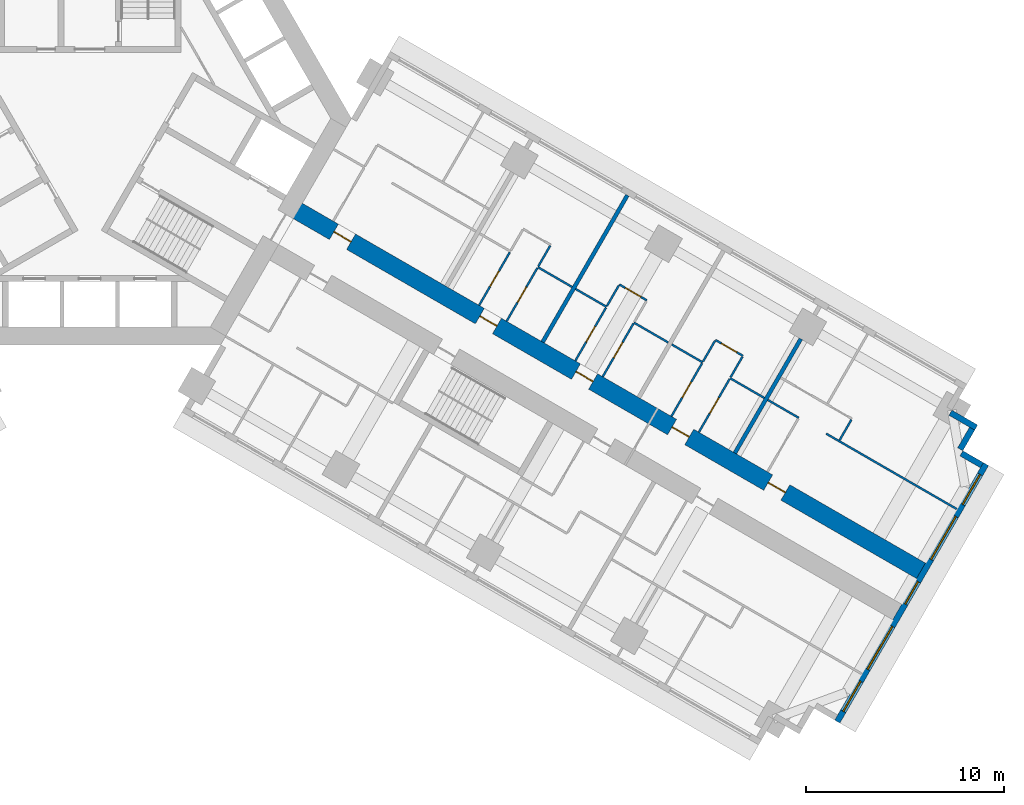
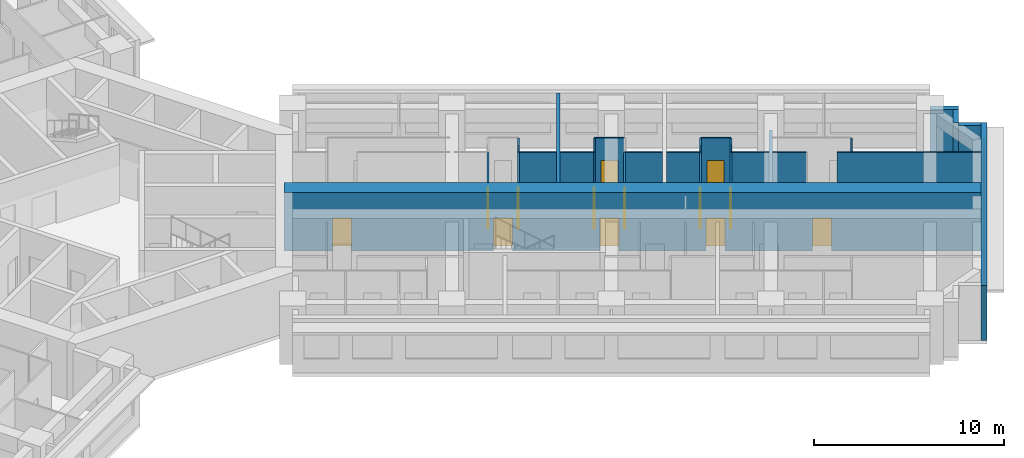
# One storey, part 12 of 16: 27 walls, 13 doors, 5 windows, 18 openings.
"""IFC4 building model written with IfcOpenShell, lengths in metres."""

import ifcopenshell
import ifcopenshell.guid

model = None  # the IFC model being written
_history = None  # IfcOwnerHistory: only IFC2X3 demands one
_inside = {}  # id of a spatial element -> (the spatial element, [elements in it])
_under = {}  # id of a project, library or spatial element -> (it, [spatial elements below it])
_declared = {}  # id of a project -> (the project, [libraries it declares])
_typed = {}  # id of a type object -> (the type object, [elements of that type])
_made_of = {}  # id of a material, layer set ... -> (it, [elements and type objects made of it])


def new_model(schema):
    """Start an empty IFC model of exactly this schema.

    Asked for "IFC4X3", IfcOpenShell would pick the latest addendum, in which some entities
    have other attributes; the version numbers below select the first issue.
    IFC2X3 requires an IfcOwnerHistory on every rooted entity: one is made here for all.
    """
    global model, _history
    if schema == "IFC4X3":
        model = ifcopenshell.file(schema_version=(4, 3, 0, 0))
    else:
        model = ifcopenshell.file(schema=schema)
    _inside.clear()
    _under.clear()
    _declared.clear()
    _typed.clear()
    _made_of.clear()
    _history = None
    if model.schema == "IFC2X3":
        org = make("IfcOrganization", Name="unknown")
        user = make(
            "IfcPersonAndOrganization",
            ThePerson=make("IfcPerson", FamilyName="unknown"),
            TheOrganization=org,
        )
        app = make(
            "IfcApplication",
            ApplicationDeveloper=org,
            Version="unknown",
            ApplicationFullName="unknown",
            ApplicationIdentifier="unknown",
        )
        _history = make(
            "IfcOwnerHistory",
            OwningUser=user,
            OwningApplication=app,
            ChangeAction="ADDED",
            CreationDate=0,
        )
    return model


def make(cls, **values):
    """One entity of the class cls with the attributes given. An attribute that is None is left unset."""
    return model.create_entity(
        cls, **{name: value for name, value in values.items() if value is not None}
    )


def rooted(cls, **values):
    """An entity with a GlobalId (a new one), such as an element, a storey or a relation."""
    return make(cls, GlobalId=ifcopenshell.guid.new(), OwnerHistory=_history, **values)


def si_unit(unit_type, name, prefix=None):
    """IfcSIUnit, for example si_unit("LENGTHUNIT", "METRE", prefix="MILLI")."""
    return make("IfcSIUnit", UnitType=unit_type, Prefix=prefix, Name=name)


def assignment(units):
    """IfcUnitAssignment: the units of a project."""
    return None if units is None else make("IfcUnitAssignment", Units=units)


def point(xyz):
    """IfcCartesianPoint."""
    return None if xyz is None else make("IfcCartesianPoint", Coordinates=xyz)


def direction(xyz):
    """IfcDirection."""
    return None if xyz is None else make("IfcDirection", DirectionRatios=xyz)


def frame(location, z_axis=None, x_axis=None):
    """IfcAxis2Placement3D, a coordinate frame: its origin and axes. An axis left out is left unset."""
    return make(
        "IfcAxis2Placement3D",
        Location=point(location),
        Axis=direction(z_axis),
        RefDirection=direction(x_axis),
    )


def frame_2d(location, x_axis=None):
    """IfcAxis2Placement2D, a coordinate frame in the plane: its origin and x axis."""
    return make(
        "IfcAxis2Placement2D", Location=point(location), RefDirection=direction(x_axis)
    )


def origin():
    """The frame at (0, 0, 0) with its axes left unset."""
    return frame((0.0, 0.0, 0.0))


def place(relative_to, where):
    """IfcLocalPlacement: puts the frame where relative to a parent placement (None: the world)."""
    return make(
        "IfcLocalPlacement", PlacementRelTo=relative_to, RelativePlacement=where
    )


def context(
    kind, dimensions, precision=None, world=None, true_north=None, identifier=None
):
    """IfcGeometricRepresentationContext, for example the 3D "Model" context."""
    return make(
        "IfcGeometricRepresentationContext",
        ContextIdentifier=identifier,
        ContextType=kind,
        CoordinateSpaceDimension=dimensions,
        Precision=precision,
        WorldCoordinateSystem=world,
        TrueNorth=true_north,
    )


def subcontext(parent, identifier, kind, view, scale=None):
    """IfcGeometricRepresentationSubContext, for example "Body" below "Model"."""
    return make(
        "IfcGeometricRepresentationSubContext",
        ContextIdentifier=identifier,
        ContextType=kind,
        ParentContext=parent,
        TargetScale=scale,
        TargetView=view,
    )


def project(units=None, contexts=None):
    """IfcProject with its units and contexts."""
    return rooted(
        "IfcProject",
        Name="project",
        RepresentationContexts=contexts,
        UnitsInContext=assignment(units),
    )


def spatial(cls, under=None, at=None, **own):
    """A site, building, storey or space (cls), placed at a placement, below another one or the project."""
    s = rooted(cls, ObjectPlacement=at, **own)
    if under is not None:
        _under.setdefault(under.id(), (under, []))[1].append(s)
    return s


def profile(cls, at=None, kind="AREA", **sizes):
    """A parametric profile (cls). Its sizes go by their IFC names, for example OverallWidth=200.0."""
    return make(cls, ProfileType=kind, Position=at, **sizes)


def rectangle(**sizes):
    """IfcRectangleProfileDef."""
    return profile("IfcRectangleProfileDef", **sizes)


def extrude(swept, where, along, depth):
    """IfcExtrudedAreaSolid: the profile swept, set in the frame where, extruded along a direction by depth."""
    return make(
        "IfcExtrudedAreaSolid",
        SweptArea=swept,
        Position=where,
        ExtrudedDirection=direction(along),
        Depth=depth,
    )


def shape(context_of_items, identifier, shape_type, items):
    """IfcShapeRepresentation: the items that make up one representation, for example the "Body"."""
    return make(
        "IfcShapeRepresentation",
        ContextOfItems=context_of_items,
        RepresentationIdentifier=identifier,
        RepresentationType=shape_type,
        Items=items,
    )


def material(Name=None, Category=None):
    """IfcMaterial."""
    return make("IfcMaterial", Name=Name, Category=Category)


def layer(
    of_material, thickness, ventilated=None, Name=None, Category=None, Priority=None
):
    """IfcMaterialLayer: one layer of a wall or slab, of a material (None: an air gap)."""
    return make(
        "IfcMaterialLayer",
        Material=of_material,
        LayerThickness=thickness,
        IsVentilated=ventilated,
        Name=Name,
        Category=Category,
        Priority=Priority,
    )


def layer_set(layers, Name=None):
    """IfcMaterialLayerSet."""
    return make("IfcMaterialLayerSet", MaterialLayers=layers, LayerSetName=Name)


def made_of(thing, what):
    """Note that an element or type object is made of a material, layer set ...; save() writes the relation."""
    if what is not None:
        _made_of.setdefault(what.id(), (what, []))[1].append(thing)
    return thing


def type_object(cls, material=None, **own):
    """A type object (cls), such as IfcWallType, which elements share."""
    return made_of(rooted(cls, **own), material)


def element(
    cls,
    number,
    at=None,
    inside=None,
    cuts=None,
    type_object=None,
    material=None,
    context=None,
    identifier="Body",
    shape_type=None,
    held_by="IfcProductDefinitionShape",
    body=None,
    shapes=None,
    **own,
):
    """One element of the class cls, such as IfcWall. Its Tag is "e" and its number.

    at: its placement. inside: the storey or other place that contains it. cuts: it is an
    opening in that element (IfcRelVoidsElement). A single representation is given by context,
    identifier, shape_type and body (its items); several are given by shapes. held_by: the class
    of the entity that holds the representations. save() writes the other relations.
    """
    e = rooted(cls, Tag="e%d" % number, ObjectPlacement=at, **own)
    if body is not None:
        shapes = [shape(context, identifier, shape_type, body)]
    if shapes is not None:
        e.Representation = make(held_by, Representations=shapes)
    if inside is not None:
        _inside.setdefault(inside.id(), (inside, []))[1].append(e)
    if cuts is not None:
        rooted(
            "IfcRelVoidsElement", RelatingBuildingElement=cuts, RelatedOpeningElement=e
        )
    if type_object is not None:
        _typed.setdefault(type_object.id(), (type_object, []))[1].append(e)
    return made_of(e, material)


def fill(opening, filler):
    """IfcRelFillsElement: the door or window that sits in an opening."""
    return rooted(
        "IfcRelFillsElement",
        RelatingOpeningElement=opening,
        RelatedBuildingElement=filler,
    )


def aggregate(whole, parts):
    """IfcRelAggregates: a whole, such as a stair, and the parts it consists of."""
    return rooted("IfcRelAggregates", RelatingObject=whole, RelatedObjects=parts)


def save(model, path):
    """Write the relations noted so far, then the file.

    IfcRelAggregates (storeys below a building ...), IfcRelContainedInSpatialStructure (elements
    in a storey), IfcRelDefinesByType, IfcRelAssociatesMaterial and IfcRelDeclares: one each for
    every whole, place, type object, material and project.
    """
    for whole, parts in _under.values():
        aggregate(whole, parts)
    for where, things in _inside.values():
        rooted(
            "IfcRelContainedInSpatialStructure",
            RelatedElements=things,
            RelatingStructure=where,
        )
    for kind, things in _typed.values():
        rooted("IfcRelDefinesByType", RelatedObjects=things, RelatingType=kind)
    for what, things in _made_of.values():
        rooted("IfcRelAssociatesMaterial", RelatedObjects=things, RelatingMaterial=what)
    for by, libraries in _declared.values():
        rooted("IfcRelDeclares", RelatingContext=by, RelatedDefinitions=libraries)
    model.write(path)


model = new_model("IFC4")

# Units and contexts
model_context = context("Model", 3, precision=1e-05, world=origin(), true_north=direction((0.0, 1.0)))
body_context = subcontext(model_context, "Body", "Model", "MODEL_VIEW")
ifc_project = project(units=[si_unit("LENGTHUNIT", "METRE"), si_unit("AREAUNIT", "SQUARE_METRE"), si_unit("VOLUMEUNIT", "CUBIC_METRE"), si_unit("PLANEANGLEUNIT", "RADIAN"), si_unit("MASSUNIT", "GRAM", prefix="KILO")], contexts=[model_context])

# Site, building, storey
site_placement = place(None, origin())
site = spatial("IfcSite", under=ifc_project, at=site_placement, CompositionType="ELEMENT")
building_placement = place(site_placement, origin())
building = spatial("IfcBuilding", under=site, at=building_placement, Name="Impinga Residences", CompositionType="ELEMENT")
storey_placement = place(building_placement, frame((0.0, 0.0, 63.5)))
storey = spatial("IfcBuildingStorey", under=building, at=storey_placement, Name="L15", CompositionType="ELEMENT", Elevation=63.5)

# Wall, openings, doors
ifc_material_1 = material(Name="Concrete C70/85", Category="concrete")
ifc_layer_1 = layer(ifc_material_1, 0.89990234375)
ifc_layer_set_1 = layer_set([ifc_layer_1], Name="Concrete C70/85")
wall_type_1 = type_object("IfcWallType", Name="BW1 corridor buttress wall, L05 to L22 900", PredefinedType="SHEAR", material=ifc_layer_set_1)
wall_1_placement = place(storey_placement, frame((10.1103515625, -4.451416015625, 0.0), z_axis=(0.0, 0.0, 1.0), x_axis=(0.866025284237, -0.500000207062, 0.0)))
wall_1 = element("IfcWall", 1, at=wall_1_placement, inside=storey, type_object=wall_type_1, Name="Corridor wall BW1 EC L15", PredefinedType="SHEAR", context=body_context, shape_type="SweptSolid", body=[
    extrude(rectangle(XDim=36.75, YDim=0.89990234375, at=frame_2d((18.375, 0.0))), origin(), (0.0, 0.0, 1.0), 3.75),
])
opening_1_placement = place(wall_1_placement, frame((2.550048828125, 0.0, 0.0)))
opening_1 = element("IfcOpeningElement", 2, at=opening_1_placement, cuts=wall_1, Name="Opening D1", PredefinedType="OPENING", context=body_context, shape_type="SweptSolid", body=[
    extrude(rectangle(XDim=1.0, YDim=2.10009765625, at=frame_2d((0.5, 1.050048828125))), frame((0.0, 0.4599609375, 0.0), z_axis=(0.0, -1.0, 0.0), x_axis=(1.0, 0.0, 0.0)), (0.0, 0.0, 1.0), 0.919921875),
])
opening_2_placement = place(wall_1_placement, frame((11.050048828125, 0.0, 0.0)))
opening_2 = element("IfcOpeningElement", 3, at=opening_2_placement, cuts=wall_1, Name="Opening D1", PredefinedType="OPENING", context=body_context, shape_type="SweptSolid", body=[
    extrude(rectangle(XDim=1.0, YDim=2.10009765625, at=frame_2d((0.5, 1.050048828125))), frame((0.0, 0.4599609375, 0.0), z_axis=(0.0, -1.0, 0.0), x_axis=(1.0, 0.0, 0.0)), (0.0, 0.0, 1.0), 0.919921875),
])
opening_3_placement = place(wall_1_placement, frame((16.64990234375, 0.0, 0.0)))
opening_3 = element("IfcOpeningElement", 4, at=opening_3_placement, cuts=wall_1, Name="Opening D1", PredefinedType="OPENING", context=body_context, shape_type="SweptSolid", body=[
    extrude(rectangle(XDim=1.0, YDim=2.10009765625, at=frame_2d((0.5, 1.050048828125))), frame((0.0, 0.4599609375, 0.0), z_axis=(0.0, -1.0, 0.0), x_axis=(1.0, 0.0, 0.0)), (0.0, 0.0, 1.0), 0.919921875),
])
opening_4_placement = place(wall_1_placement, frame((22.25, 0.0, 0.0)))
opening_4 = element("IfcOpeningElement", 5, at=opening_4_placement, cuts=wall_1, Name="Opening D1", PredefinedType="OPENING", context=body_context, shape_type="SweptSolid", body=[
    extrude(rectangle(XDim=1.0, YDim=2.10009765625, at=frame_2d((0.5, 1.050048828125))), frame((0.0, 0.4599609375, 0.0), z_axis=(0.0, -1.0, 0.0), x_axis=(1.0, 0.0, 0.0)), (0.0, 0.0, 1.0), 0.919921875),
])
opening_5_placement = place(wall_1_placement, frame((27.85009765625, 0.0, 0.0)))
opening_5 = element("IfcOpeningElement", 6, at=opening_5_placement, cuts=wall_1, Name="Opening D1", PredefinedType="OPENING", context=body_context, shape_type="SweptSolid", body=[
    extrude(rectangle(XDim=1.0, YDim=2.10009765625, at=frame_2d((0.5, 1.050048828125))), frame((0.0, 0.4599609375, 0.0), z_axis=(0.0, -1.0, 0.0), x_axis=(1.0, 0.0, 0.0)), (0.0, 0.0, 1.0), 0.919921875),
])
ifc_material_2 = material(Name="Timber door set", Category="wood")
door_type_1 = type_object("IfcDoorType", Name="D1 apartment entrance door 1000x2100", OperationType="SINGLE_SWING_LEFT", PredefinedType="DOOR", material=ifc_material_2)
door_1_placement = place(opening_1_placement, origin())
door_1 = element("IfcDoor", 7, at=door_1_placement, inside=storey, type_object=door_type_1, Name="Apartment L15-EA1 entrance", OperationType="SINGLE_SWING_LEFT", OverallHeight=2.10009765625, OverallWidth=1.0, PredefinedType="DOOR", context=body_context, shape_type="SweptSolid", body=[
    extrude(rectangle(XDim=1.0, YDim=2.10009765625, at=frame_2d((0.5, 1.050048828125))), frame((0.0, 0.02490234375, 0.0), z_axis=(0.0, -1.0, 0.0), x_axis=(1.0, 0.0, 0.0)), (0.0, 0.0, 1.0), 0.050048828125),
])
fill(opening_1, door_1)
door_2_placement = place(opening_2_placement, origin())
door_2 = element("IfcDoor", 8, at=door_2_placement, inside=storey, type_object=door_type_1, Name="Apartment L15-EA2 entrance", OperationType="SINGLE_SWING_LEFT", OverallHeight=2.10009765625, OverallWidth=1.0, PredefinedType="DOOR", context=body_context, shape_type="SweptSolid", body=[
    extrude(rectangle(XDim=1.0, YDim=2.10009765625, at=frame_2d((0.5, 1.050048828125))), frame((0.0, 0.02490234375, 0.0), z_axis=(0.0, -1.0, 0.0), x_axis=(1.0, 0.0, 0.0)), (0.0, 0.0, 1.0), 0.050048828125),
])
fill(opening_2, door_2)
door_3_placement = place(opening_3_placement, origin())
door_3 = element("IfcDoor", 9, at=door_3_placement, inside=storey, type_object=door_type_1, Name="Apartment L15-EA3 entrance", OperationType="SINGLE_SWING_LEFT", OverallHeight=2.10009765625, OverallWidth=1.0, PredefinedType="DOOR", context=body_context, shape_type="SweptSolid", body=[
    extrude(rectangle(XDim=1.0, YDim=2.10009765625, at=frame_2d((0.5, 1.050048828125))), frame((0.0, 0.02490234375, 0.0), z_axis=(0.0, -1.0, 0.0), x_axis=(1.0, 0.0, 0.0)), (0.0, 0.0, 1.0), 0.050048828125),
])
fill(opening_3, door_3)
door_4_placement = place(opening_4_placement, origin())
door_4 = element("IfcDoor", 10, at=door_4_placement, inside=storey, type_object=door_type_1, Name="Apartment L15-EA4 entrance", OperationType="SINGLE_SWING_RIGHT", OverallHeight=2.10009765625, OverallWidth=1.0, PredefinedType="DOOR", context=body_context, shape_type="SweptSolid", body=[
    extrude(rectangle(XDim=1.0, YDim=2.10009765625, at=frame_2d((0.5, 1.050048828125))), frame((0.0, 0.02490234375, 0.0), z_axis=(0.0, -1.0, 0.0), x_axis=(1.0, 0.0, 0.0)), (0.0, 0.0, 1.0), 0.050048828125),
])
fill(opening_4, door_4)
door_5_placement = place(opening_5_placement, origin())
door_5 = element("IfcDoor", 11, at=door_5_placement, inside=storey, type_object=door_type_1, Name="Apartment L15-EA5 entrance", OperationType="SINGLE_SWING_RIGHT", OverallHeight=2.10009765625, OverallWidth=1.0, PredefinedType="DOOR", context=body_context, shape_type="SweptSolid", body=[
    extrude(rectangle(XDim=1.0, YDim=2.10009765625, at=frame_2d((0.5, 1.050048828125))), frame((0.0, 0.02490234375, 0.0), z_axis=(0.0, -1.0, 0.0), x_axis=(1.0, 0.0, 0.0)), (0.0, 0.0, 1.0), 0.050048828125),
])
fill(opening_5, door_5)

# Walls
ifc_material_3 = material(Name="Terracotta rainscreen on blockwork", Category="masonry")
ifc_layer_2 = layer(ifc_material_3, 0.300048828125)
ifc_layer_set_2 = layer_set([ifc_layer_2], Name="EW1 external wall, terracotta rainscreen on blockwork 300")
wall_type_2 = type_object("IfcWallType", Name="EW1 external wall, terracotta rainscreen on blockwork 300", PredefinedType="SOLIDWALL", material=ifc_layer_set_2)
wall_2_placement = place(storey_placement, frame((43.42333984375, -14.8515625, 0.0), z_axis=(0.0, 0.0, 1.0), x_axis=(0.866031096941, -0.499990139034, 0.0)))
element("IfcWall", 12, at=wall_2_placement, inside=storey, type_object=wall_type_2, Name="External wall EW1 L15", PredefinedType="SOLIDWALL", context=body_context, shape_type="SweptSolid", body=[
    extrude(rectangle(XDim=1.5, YDim=0.300048828125, at=frame_2d((0.75, 0.0))), origin(), (0.0, 0.0, 1.0), 3.530029296875),
])
wall_3_placement = place(storey_placement, frame((44.517578125, -15.65625, 0.0), z_axis=(0.0, 0.0, 1.0), x_axis=(-0.500033551112, -0.866006032174, 0.0)))
element("IfcWall", 13, at=wall_3_placement, inside=storey, type_object=wall_type_2, Name="External wall EW1 L15", PredefinedType="SOLIDWALL", context=body_context, shape_type="SweptSolid", body=[
    extrude(rectangle(XDim=1.2001953125, YDim=0.300048828125, at=frame_2d((0.60009765625, 0.0))), origin(), (0.0, 0.0, 1.0), 3.530029296875),
])
wall_4_placement = place(storey_placement, frame((43.976806640625, -16.903076171875, 0.0), z_axis=(0.0, 0.0, 1.0), x_axis=(0.866059708757, -0.499940577336, 0.0)))
element("IfcWall", 14, at=wall_4_placement, inside=storey, type_object=wall_type_2, Name="External wall EW1 L15", PredefinedType="SOLIDWALL", context=body_context, shape_type="SweptSolid", body=[
    extrude(rectangle(XDim=1.195068359375, YDim=0.300048828125, at=frame_2d((0.59765625, 0.0))), origin(), (0.0, 0.0, 1.0), 3.530029296875),
])

# Wall, openings, windows
wall_5_placement = place(storey_placement, frame((45.216552734375, -17.445556640625, 0.0), z_axis=(0.0, 0.0, 1.0), x_axis=(-0.499997186618, -0.866027028085, 0.0)))
wall_5 = element("IfcWall", 15, at=wall_5_placement, inside=storey, type_object=wall_type_2, Name="External wall EW1 L15", PredefinedType="SOLIDWALL", context=body_context, shape_type="SweptSolid", body=[
    extrude(rectangle(XDim=15.0, YDim=0.300048828125, at=frame_2d((7.5, 0.0))), origin(), (0.0, 0.0, 1.0), 3.530029296875),
])
opening_6_placement = place(wall_5_placement, frame((0.60009765625, 0.0, 0.89990234375)))
opening_6 = element("IfcOpeningElement", 16, at=opening_6_placement, cuts=wall_5, Name="Opening W1", PredefinedType="OPENING", context=body_context, shape_type="SweptSolid", body=[
    extrude(rectangle(XDim=1.75, YDim=2.050048828125, at=frame_2d((0.875, 1.02490234375))), frame((0.0, 0.159912109375, 0.0), z_axis=(0.0, -1.0, 0.0), x_axis=(1.0, 0.0, 0.0)), (0.0, 0.0, 1.0), 0.320068359375),
])
opening_7_placement = place(wall_5_placement, frame((3.050048828125, 0.0, 0.89990234375)))
opening_7 = element("IfcOpeningElement", 17, at=opening_7_placement, cuts=wall_5, Name="Opening W2", PredefinedType="OPENING", context=body_context, shape_type="SweptSolid", body=[
    extrude(rectangle(XDim=2.5, YDim=2.050048828125, at=frame_2d((1.25, 1.02490234375))), frame((0.0, 0.159912109375, 0.0), z_axis=(0.0, -1.0, 0.0), x_axis=(1.0, 0.0, 0.0)), (0.0, 0.0, 1.0), 0.320068359375),
])
opening_8_placement = place(wall_5_placement, frame((6.85009765625, 0.0, 0.89990234375)))
opening_8 = element("IfcOpeningElement", 18, at=opening_8_placement, cuts=wall_5, Name="Opening WE1", PredefinedType="OPENING", context=body_context, shape_type="SweptSolid", body=[
    extrude(rectangle(XDim=1.300048828125, YDim=2.050048828125, at=frame_2d((0.64990234375, 1.02490234375))), frame((0.0, 0.159912109375, 0.0), z_axis=(0.0, -1.0, 0.0), x_axis=(1.0, 0.0, 0.0)), (0.0, 0.0, 1.0), 0.320068359375),
])
opening_9_placement = place(wall_5_placement, frame((9.449951171875, 0.0, 0.89990234375)))
opening_9 = element("IfcOpeningElement", 19, at=opening_9_placement, cuts=wall_5, Name="Opening W2", PredefinedType="OPENING", context=body_context, shape_type="SweptSolid", body=[
    extrude(rectangle(XDim=2.5, YDim=2.050048828125, at=frame_2d((1.25, 1.02490234375))), frame((0.0, 0.159912109375, 0.0), z_axis=(0.0, -1.0, 0.0), x_axis=(1.0, 0.0, 0.0)), (0.0, 0.0, 1.0), 0.320068359375),
])
opening_10_placement = place(wall_5_placement, frame((12.64990234375, 0.0, 0.89990234375)))
opening_10 = element("IfcOpeningElement", 20, at=opening_10_placement, cuts=wall_5, Name="Opening W1", PredefinedType="OPENING", context=body_context, shape_type="SweptSolid", body=[
    extrude(rectangle(XDim=1.75, YDim=2.050048828125, at=frame_2d((0.875, 1.02490234375))), frame((0.0, 0.159912109375, 0.0), z_axis=(0.0, -1.0, 0.0), x_axis=(1.0, 0.0, 0.0)), (0.0, 0.0, 1.0), 0.320068359375),
])
ifc_material_4 = material(Name="Aluminium window, clear double glazing", Category="aluminium")
window_type_1 = type_object("IfcWindowType", Name="W1 ribbon window 1750x2050", PartitioningType="SINGLE_PANEL", PredefinedType="WINDOW", material=ifc_material_4)
window_1_placement = place(opening_6_placement, origin())
window_1 = element("IfcWindow", 21, at=window_1_placement, inside=storey, type_object=window_type_1, Name="Window L15", OverallHeight=2.050048828125, OverallWidth=1.75, PartitioningType="SINGLE_PANEL", PredefinedType="WINDOW", context=body_context, shape_type="SweptSolid", body=[
    extrude(rectangle(XDim=1.75, YDim=2.050048828125, at=frame_2d((0.875, 1.02490234375))), frame((0.0, 0.030029296875, 0.0), z_axis=(0.0, -1.0, 0.0), x_axis=(1.0, 0.0, 0.0)), (0.0, 0.0, 1.0), 0.06005859375),
])
fill(opening_6, window_1)
window_2_placement = place(opening_10_placement, origin())
window_2 = element("IfcWindow", 22, at=window_2_placement, inside=storey, type_object=window_type_1, Name="Window L15", OverallHeight=2.050048828125, OverallWidth=1.75, PartitioningType="SINGLE_PANEL", PredefinedType="WINDOW", context=body_context, shape_type="SweptSolid", body=[
    extrude(rectangle(XDim=1.75, YDim=2.050048828125, at=frame_2d((0.875, 1.02490234375))), frame((0.0, 0.030029296875, 0.0), z_axis=(0.0, -1.0, 0.0), x_axis=(1.0, 0.0, 0.0)), (0.0, 0.0, 1.0), 0.06005859375),
])
fill(opening_10, window_2)
window_type_2 = type_object("IfcWindowType", Name="W2 ribbon window 2500x2050", PartitioningType="SINGLE_PANEL", PredefinedType="WINDOW", material=ifc_material_4)
window_3_placement = place(opening_7_placement, origin())
window_3 = element("IfcWindow", 23, at=window_3_placement, inside=storey, type_object=window_type_2, Name="Window L15", OverallHeight=2.050048828125, OverallWidth=2.5, PartitioningType="SINGLE_PANEL", PredefinedType="WINDOW", context=body_context, shape_type="SweptSolid", body=[
    extrude(rectangle(XDim=2.5, YDim=2.050048828125, at=frame_2d((1.25, 1.02490234375))), frame((0.0, 0.030029296875, 0.0), z_axis=(0.0, -1.0, 0.0), x_axis=(1.0, 0.0, 0.0)), (0.0, 0.0, 1.0), 0.06005859375),
])
fill(opening_7, window_3)
window_4_placement = place(opening_9_placement, origin())
window_4 = element("IfcWindow", 24, at=window_4_placement, inside=storey, type_object=window_type_2, Name="Window L15", OverallHeight=2.050048828125, OverallWidth=2.5, PartitioningType="SINGLE_PANEL", PredefinedType="WINDOW", context=body_context, shape_type="SweptSolid", body=[
    extrude(rectangle(XDim=2.5, YDim=2.050048828125, at=frame_2d((1.25, 1.02490234375))), frame((0.0, 0.030029296875, 0.0), z_axis=(0.0, -1.0, 0.0), x_axis=(1.0, 0.0, 0.0)), (0.0, 0.0, 1.0), 0.06005859375),
])
fill(opening_9, window_4)
window_type_3 = type_object("IfcWindowType", Name="WE1 corridor window 1300x2050", PartitioningType="SINGLE_PANEL", PredefinedType="WINDOW", material=ifc_material_4)
window_5_placement = place(opening_8_placement, origin())
window_5 = element("IfcWindow", 25, at=window_5_placement, inside=storey, type_object=window_type_3, Name="Window L15", OverallHeight=2.050048828125, OverallWidth=1.300048828125, PartitioningType="SINGLE_PANEL", PredefinedType="WINDOW", context=body_context, shape_type="SweptSolid", body=[
    extrude(rectangle(XDim=1.300048828125, YDim=2.050048828125, at=frame_2d((0.64990234375, 1.02490234375))), frame((0.0, 0.030029296875, 0.0), z_axis=(0.0, -1.0, 0.0), x_axis=(1.0, 0.0, 0.0)), (0.0, 0.0, 1.0), 0.06005859375),
])
fill(opening_8, window_5)

# Walls
ifc_material_5 = material(Name="Gypsum board on steel studs", Category="steel")
ifc_layer_3 = layer(ifc_material_5, 0.10009765625)
ifc_layer_set_3 = layer_set([ifc_layer_3], Name="Gypsum board on steel studs")
wall_type_3 = type_object("IfcWallType", Name="IP1 partition 100", PredefinedType="PARTITIONING", material=ifc_layer_set_3)
wall_6_placement = place(storey_placement, frame((22.605712890625, -7.5087890625, 0.0), z_axis=(0.0, 0.0, 1.0), x_axis=(0.866010750942, -0.50002537861, 0.0)))
element("IfcWall", 26, at=wall_6_placement, inside=storey, type_object=wall_type_3, Name="Partition L15-EA2:DIV1", PredefinedType="PARTITIONING", context=body_context, shape_type="SweptSolid", body=[
    extrude(rectangle(XDim=2.0, YDim=0.10009765625, at=frame_2d((1.0, 0.0))), origin(), (0.0, 0.0, 1.0), 3.530029296875),
])
wall_7_placement = place(storey_placement, frame((22.630615234375, -7.465576171875, 0.0), z_axis=(0.0, 0.0, 1.0), x_axis=(0.500033551112, 0.866006032174, 0.0)))
element("IfcWall", 27, at=wall_7_placement, inside=storey, type_object=wall_type_3, Name="Partition L15-EA2:SE1", PredefinedType="PARTITIONING", context=body_context, shape_type="SweptSolid", body=[
    extrude(rectangle(XDim=1.2001953125, YDim=0.10009765625, at=frame_2d((0.60009765625, 0.0))), origin(), (0.0, 0.0, 1.0), 3.530029296875),
])

# Wall, opening, door
wall_8_placement = place(storey_placement, frame((19.64501953125, -9.436767578125, 0.0), z_axis=(0.0, 0.0, 1.0), x_axis=(0.500026960575, 0.86600983753, 0.0)))
wall_8 = element("IfcWall", 28, at=wall_8_placement, inside=storey, type_object=wall_type_3, Name="Partition L15-EA2:IB1", PredefinedType="PARTITIONING", context=body_context, shape_type="SweptSolid", body=[
    extrude(rectangle(XDim=3.099853515625, YDim=0.10009765625, at=frame_2d((1.5498046875, 0.0))), origin(), (0.0, 0.0, 1.0), 3.530029296875),
])
opening_11_placement = place(wall_8_placement, frame((1.10009765625, 0.0, 0.0)))
opening_11 = element("IfcOpeningElement", 29, at=opening_11_placement, cuts=wall_8, Name="Opening D2", PredefinedType="OPENING", context=body_context, shape_type="SweptSolid", body=[
    extrude(rectangle(XDim=0.89990234375, YDim=2.10009765625, at=frame_2d((0.449951171875, 1.050048828125))), frame((0.0, 0.06005859375, 0.0), z_axis=(0.0, -1.0, 0.0), x_axis=(1.0, 0.0, 0.0)), (0.0, 0.0, 1.0), 0.1201171875),
])
door_type_2 = type_object("IfcDoorType", Name="D2 internal door 900x2100", OperationType="SINGLE_SWING_LEFT", PredefinedType="DOOR", material=ifc_material_2)
door_6_placement = place(opening_11_placement, origin())
door_6 = element("IfcDoor", 30, at=door_6_placement, inside=storey, type_object=door_type_2, Name="Apartment L15-EA2 bathroom door", OperationType="SINGLE_SWING_LEFT", OverallHeight=2.10009765625, OverallWidth=0.89990234375, PredefinedType="DOOR", context=body_context, shape_type="SweptSolid", body=[
    extrude(rectangle(XDim=0.89990234375, YDim=2.10009765625, at=frame_2d((0.449951171875, 1.050048828125))), frame((0.0, 0.02490234375, 0.0), z_axis=(0.0, -1.0, 0.0), x_axis=(1.0, 0.0, 0.0)), (0.0, 0.0, 1.0), 0.050048828125),
])
fill(opening_11, door_6)

wall_9_placement = place(storey_placement, frame((21.03076171875, -10.23681640625, 0.0), z_axis=(0.0, 0.0, 1.0), x_axis=(0.500026960575, 0.86600983753, 0.0)))
wall_9 = element("IfcWall", 31, at=wall_9_placement, inside=storey, type_object=wall_type_3, Name="Partition L15-EA2:IB2", PredefinedType="PARTITIONING", context=body_context, shape_type="SweptSolid", body=[
    extrude(rectangle(XDim=3.099853515625, YDim=0.10009765625, at=frame_2d((1.5498046875, 0.0))), origin(), (0.0, 0.0, 1.0), 3.530029296875),
])
opening_12_placement = place(wall_9_placement, frame((1.10009765625, 0.0, 0.0)))
opening_12 = element("IfcOpeningElement", 32, at=opening_12_placement, cuts=wall_9, Name="Opening D2", PredefinedType="OPENING", context=body_context, shape_type="SweptSolid", body=[
    extrude(rectangle(XDim=0.89990234375, YDim=2.10009765625, at=frame_2d((0.449951171875, 1.050048828125))), frame((0.0, 0.06005859375, 0.0), z_axis=(0.0, -1.0, 0.0), x_axis=(1.0, 0.0, 0.0)), (0.0, 0.0, 1.0), 0.1201171875),
])
door_7_placement = place(opening_12_placement, origin())
door_7 = element("IfcDoor", 33, at=door_7_placement, inside=storey, type_object=door_type_2, Name="Apartment L15-EA2 WC door", OperationType="SINGLE_SWING_LEFT", OverallHeight=2.10009765625, OverallWidth=0.89990234375, PredefinedType="DOOR", context=body_context, shape_type="SweptSolid", body=[
    extrude(rectangle(XDim=0.89990234375, YDim=2.10009765625, at=frame_2d((0.449951171875, 1.050048828125))), frame((0.0, 0.02490234375, 0.0), z_axis=(0.0, -1.0, 0.0), x_axis=(1.0, 0.0, 0.0)), (0.0, 0.0, 1.0), 0.050048828125),
])
fill(opening_12, door_7)

# Walls
wall_10_placement = place(storey_placement, frame((24.510986328125, -8.60888671875, 0.0), z_axis=(0.0, 0.0, 1.0), x_axis=(0.866047807691, -0.499961193289, 0.0)))
element("IfcWall", 34, at=wall_10_placement, inside=storey, type_object=wall_type_3, Name="Partition L15-EA3:DIV0", PredefinedType="PARTITIONING", context=body_context, shape_type="SweptSolid", body=[
    extrude(rectangle(XDim=1.800048828125, YDim=0.10009765625, at=frame_2d((0.89990234375, 0.0))), origin(), (0.0, 0.0, 1.0), 3.530029296875),
])
wall_11_placement = place(storey_placement, frame((27.45556640625, -10.308837890625, 0.0), z_axis=(0.0, 0.0, 1.0), x_axis=(0.866010750942, -0.50002537861, 0.0)))
element("IfcWall", 35, at=wall_11_placement, inside=storey, type_object=wall_type_3, Name="Partition L15-EA3:DIV1", PredefinedType="PARTITIONING", context=body_context, shape_type="SweptSolid", body=[
    extrude(rectangle(XDim=2.0, YDim=0.10009765625, at=frame_2d((1.0, 0.0))), origin(), (0.0, 0.0, 1.0), 3.530029296875),
])

# Wall, opening, door
wall_12_placement = place(storey_placement, frame((26.7197265625, -8.383056640625, 0.0), z_axis=(0.0, 0.0, 1.0), x_axis=(0.866028054938, -0.499995408039, 0.0)))
wall_12 = element("IfcWall", 36, at=wall_12_placement, inside=storey, type_object=wall_type_3, Name="Partition L15-EA3:STRIP", PredefinedType="PARTITIONING", context=body_context, shape_type="SweptSolid", body=[
    extrude(rectangle(XDim=1.60009765625, YDim=0.10009765625, at=frame_2d((0.800048828125, 0.0))), origin(), (0.0, 0.0, 1.0), 3.530029296875),
])
opening_13_placement = place(wall_12_placement, frame((0.35009765625, 0.0, 0.0)))
opening_13 = element("IfcOpeningElement", 37, at=opening_13_placement, cuts=wall_12, Name="Opening D2", PredefinedType="OPENING", context=body_context, shape_type="SweptSolid", body=[
    extrude(rectangle(XDim=0.89990234375, YDim=2.10009765625, at=frame_2d((0.449951171875, 1.050048828125))), frame((0.0, 0.06005859375, 0.0), z_axis=(0.0, -1.0, 0.0), x_axis=(1.0, 0.0, 0.0)), (0.0, 0.0, 1.0), 0.1201171875),
])
door_8_placement = place(opening_13_placement, origin())
door_8 = element("IfcDoor", 38, at=door_8_placement, inside=storey, type_object=door_type_2, Name="Apartment L15-EA3 room door", OperationType="SINGLE_SWING_LEFT", OverallHeight=2.10009765625, OverallWidth=0.89990234375, PredefinedType="DOOR", context=body_context, shape_type="SweptSolid", body=[
    extrude(rectangle(XDim=0.89990234375, YDim=2.10009765625, at=frame_2d((0.449951171875, 1.050048828125))), frame((0.0, 0.02490234375, 0.0), z_axis=(0.0, -1.0, 0.0), x_axis=(1.0, 0.0, 0.0)), (0.0, 0.0, 1.0), 0.050048828125),
])
fill(opening_13, door_8)

# Wall
wall_13_placement = place(storey_placement, frame((26.0947265625, -9.465576171875, 0.0), z_axis=(0.0, 0.0, 1.0), x_axis=(0.500033551112, 0.866006032174, 0.0)))
element("IfcWall", 39, at=wall_13_placement, inside=storey, type_object=wall_type_3, Name="Partition L15-EA3:SE0", PredefinedType="PARTITIONING", context=body_context, shape_type="SweptSolid", body=[
    extrude(rectangle(XDim=1.2001953125, YDim=0.10009765625, at=frame_2d((0.60009765625, 0.0))), origin(), (0.0, 0.0, 1.0), 3.530029296875),
])

# Wall, opening, door
wall_14_placement = place(storey_placement, frame((24.494873046875, -12.23681640625, 0.0), z_axis=(0.0, 0.0, 1.0), x_axis=(0.500026960575, 0.86600983753, 0.0)))
wall_14 = element("IfcWall", 40, at=wall_14_placement, inside=storey, type_object=wall_type_3, Name="Partition L15-EA3:IB1", PredefinedType="PARTITIONING", context=body_context, shape_type="SweptSolid", body=[
    extrude(rectangle(XDim=3.099853515625, YDim=0.10009765625, at=frame_2d((1.5498046875, 0.0))), origin(), (0.0, 0.0, 1.0), 3.530029296875),
])
opening_14_placement = place(wall_14_placement, frame((1.10009765625, 0.0, 0.0)))
opening_14 = element("IfcOpeningElement", 41, at=opening_14_placement, cuts=wall_14, Name="Opening D2", PredefinedType="OPENING", context=body_context, shape_type="SweptSolid", body=[
    extrude(rectangle(XDim=0.89990234375, YDim=2.10009765625, at=frame_2d((0.449951171875, 1.050048828125))), frame((0.0, 0.06005859375, 0.0), z_axis=(0.0, -1.0, 0.0), x_axis=(1.0, 0.0, 0.0)), (0.0, 0.0, 1.0), 0.1201171875),
])
door_9_placement = place(opening_14_placement, origin())
door_9 = element("IfcDoor", 42, at=door_9_placement, inside=storey, type_object=door_type_2, Name="Apartment L15-EA3 bathroom door", OperationType="SINGLE_SWING_LEFT", OverallHeight=2.10009765625, OverallWidth=0.89990234375, PredefinedType="DOOR", context=body_context, shape_type="SweptSolid", body=[
    extrude(rectangle(XDim=0.89990234375, YDim=2.10009765625, at=frame_2d((0.449951171875, 1.050048828125))), frame((0.0, 0.02490234375, 0.0), z_axis=(0.0, -1.0, 0.0), x_axis=(1.0, 0.0, 0.0)), (0.0, 0.0, 1.0), 0.050048828125),
])
fill(opening_14, door_9)

wall_15_placement = place(storey_placement, frame((25.88037109375, -13.036865234375, 0.0), z_axis=(0.0, 0.0, 1.0), x_axis=(0.49999285859, 0.86602952684, 0.0)))
wall_15 = element("IfcWall", 43, at=wall_15_placement, inside=storey, type_object=wall_type_3, Name="Partition L15-EA3:IB2", PredefinedType="PARTITIONING", context=body_context, shape_type="SweptSolid", body=[
    extrude(rectangle(XDim=3.10009765625, YDim=0.10009765625, at=frame_2d((1.550048828125, 0.0))), origin(), (0.0, 0.0, 1.0), 3.530029296875),
])
opening_15_placement = place(wall_15_placement, frame((1.10009765625, 0.0, 0.0)))
opening_15 = element("IfcOpeningElement", 44, at=opening_15_placement, cuts=wall_15, Name="Opening D2", PredefinedType="OPENING", context=body_context, shape_type="SweptSolid", body=[
    extrude(rectangle(XDim=0.89990234375, YDim=2.10009765625, at=frame_2d((0.449951171875, 1.050048828125))), frame((0.0, 0.06005859375, 0.0), z_axis=(0.0, -1.0, 0.0), x_axis=(1.0, 0.0, 0.0)), (0.0, 0.0, 1.0), 0.1201171875),
])
door_10_placement = place(opening_15_placement, origin())
door_10 = element("IfcDoor", 45, at=door_10_placement, inside=storey, type_object=door_type_2, Name="Apartment L15-EA3 WC door", OperationType="SINGLE_SWING_LEFT", OverallHeight=2.10009765625, OverallWidth=0.89990234375, PredefinedType="DOOR", context=body_context, shape_type="SweptSolid", body=[
    extrude(rectangle(XDim=0.89990234375, YDim=2.10009765625, at=frame_2d((0.449951171875, 1.050048828125))), frame((0.0, 0.02490234375, 0.0), z_axis=(0.0, -1.0, 0.0), x_axis=(1.0, 0.0, 0.0)), (0.0, 0.0, 1.0), 0.050048828125),
])
fill(opening_15, door_10)

# Walls
wall_16_placement = place(storey_placement, frame((29.360595703125, -11.408935546875, 0.0), z_axis=(0.0, 0.0, 1.0), x_axis=(0.866047807691, -0.499961193289, 0.0)))
element("IfcWall", 46, at=wall_16_placement, inside=storey, type_object=wall_type_3, Name="Partition L15-EA4:DIV0", PredefinedType="PARTITIONING", context=body_context, shape_type="SweptSolid", body=[
    extrude(rectangle(XDim=1.800048828125, YDim=0.10009765625, at=frame_2d((0.89990234375, 0.0))), origin(), (0.0, 0.0, 1.0), 3.530029296875),
])
wall_17_placement = place(storey_placement, frame((32.30517578125, -13.10888671875, 0.0), z_axis=(0.0, 0.0, 1.0), x_axis=(0.866041268327, -0.499972520799, 0.0)))
element("IfcWall", 47, at=wall_17_placement, inside=storey, type_object=wall_type_3, Name="Partition L15-EA4:DIV1", PredefinedType="PARTITIONING", context=body_context, shape_type="SweptSolid", body=[
    extrude(rectangle(XDim=2.0, YDim=0.10009765625, at=frame_2d((1.0, 0.0))), origin(), (0.0, 0.0, 1.0), 3.530029296875),
])

# Wall, opening, door
wall_18_placement = place(storey_placement, frame((31.569580078125, -11.18310546875, 0.0), z_axis=(0.0, 0.0, 1.0), x_axis=(0.866055983265, -0.499947031044, 0.0)))
wall_18 = element("IfcWall", 48, at=wall_18_placement, inside=storey, type_object=wall_type_3, Name="Partition L15-EA4:STRIP", PredefinedType="PARTITIONING", context=body_context, shape_type="SweptSolid", body=[
    extrude(rectangle(XDim=1.599853515625, YDim=0.10009765625, at=frame_2d((0.7998046875, 0.0))), origin(), (0.0, 0.0, 1.0), 3.530029296875),
])
opening_16_placement = place(wall_18_placement, frame((0.35009765625, 0.0, 0.0)))
opening_16 = element("IfcOpeningElement", 49, at=opening_16_placement, cuts=wall_18, Name="Opening D2", PredefinedType="OPENING", context=body_context, shape_type="SweptSolid", body=[
    extrude(rectangle(XDim=0.89990234375, YDim=2.10009765625, at=frame_2d((0.449951171875, 1.050048828125))), frame((0.0, 0.06005859375, 0.0), z_axis=(0.0, -1.0, 0.0), x_axis=(1.0, 0.0, 0.0)), (0.0, 0.0, 1.0), 0.1201171875),
])
door_11_placement = place(opening_16_placement, origin())
door_11 = element("IfcDoor", 50, at=door_11_placement, inside=storey, type_object=door_type_2, Name="Apartment L15-EA4 room door", OperationType="SINGLE_SWING_LEFT", OverallHeight=2.10009765625, OverallWidth=0.89990234375, PredefinedType="DOOR", context=body_context, shape_type="SweptSolid", body=[
    extrude(rectangle(XDim=0.89990234375, YDim=2.10009765625, at=frame_2d((0.449951171875, 1.050048828125))), frame((0.0, 0.02490234375, 0.0), z_axis=(0.0, -1.0, 0.0), x_axis=(1.0, 0.0, 0.0)), (0.0, 0.0, 1.0), 0.050048828125),
])
fill(opening_16, door_11)

# Walls
for number, where, z_axis, x_axis, name in (
    (51, (30.944580078125, -12.265625, 0.0), (0.0, 0.0, 1.0), (0.499880961361, 0.866094119867, 0.0), "Partition L15-EA4:SE0"),
    (52, (32.330078125, -13.0654296875, 0.0), (0.0, 0.0, 1.0), (0.50012165622, 0.865955154139, 0.0), "Partition L15-EA4:SE1"),
):
    element("IfcWall", number, at=place(storey_placement, frame(where, z_axis=z_axis, x_axis=x_axis)), inside=storey, type_object=wall_type_3, Name=name, PredefinedType="PARTITIONING", context=body_context, shape_type="SweptSolid", body=[
        extrude(rectangle(XDim=1.199951171875, YDim=0.10009765625, at=frame_2d((0.60009765625, 0.0))), origin(), (0.0, 0.0, 1.0), 3.530029296875),
    ])

# Wall, opening, door
wall_19_placement = place(storey_placement, frame((29.344482421875, -15.036865234375, 0.0), z_axis=(0.0, 0.0, 1.0), x_axis=(0.49999285859, 0.86602952684, 0.0)))
wall_19 = element("IfcWall", 53, at=wall_19_placement, inside=storey, type_object=wall_type_3, Name="Partition L15-EA4:IB1", PredefinedType="PARTITIONING", context=body_context, shape_type="SweptSolid", body=[
    extrude(rectangle(XDim=3.10009765625, YDim=0.10009765625, at=frame_2d((1.550048828125, 0.0))), origin(), (0.0, 0.0, 1.0), 3.530029296875),
])
opening_17_placement = place(wall_19_placement, frame((1.10009765625, 0.0, 0.0)))
opening_17 = element("IfcOpeningElement", 54, at=opening_17_placement, cuts=wall_19, Name="Opening D2", PredefinedType="OPENING", context=body_context, shape_type="SweptSolid", body=[
    extrude(rectangle(XDim=0.89990234375, YDim=2.10009765625, at=frame_2d((0.449951171875, 1.050048828125))), frame((0.0, 0.06005859375, 0.0), z_axis=(0.0, -1.0, 0.0), x_axis=(1.0, 0.0, 0.0)), (0.0, 0.0, 1.0), 0.1201171875),
])
door_12_placement = place(opening_17_placement, origin())
door_12 = element("IfcDoor", 55, at=door_12_placement, inside=storey, type_object=door_type_2, Name="Apartment L15-EA4 bathroom door", OperationType="SINGLE_SWING_LEFT", OverallHeight=2.10009765625, OverallWidth=0.89990234375, PredefinedType="DOOR", context=body_context, shape_type="SweptSolid", body=[
    extrude(rectangle(XDim=0.89990234375, YDim=2.10009765625, at=frame_2d((0.449951171875, 1.050048828125))), frame((0.0, 0.02490234375, 0.0), z_axis=(0.0, -1.0, 0.0), x_axis=(1.0, 0.0, 0.0)), (0.0, 0.0, 1.0), 0.050048828125),
])
fill(opening_17, door_12)

wall_20_placement = place(storey_placement, frame((30.730224609375, -15.8369140625, 0.0), z_axis=(0.0, 0.0, 1.0), x_axis=(0.49999285859, 0.86602952684, 0.0)))
wall_20 = element("IfcWall", 56, at=wall_20_placement, inside=storey, type_object=wall_type_3, Name="Partition L15-EA4:IB2", PredefinedType="PARTITIONING", context=body_context, shape_type="SweptSolid", body=[
    extrude(rectangle(XDim=3.10009765625, YDim=0.10009765625, at=frame_2d((1.550048828125, 0.0))), origin(), (0.0, 0.0, 1.0), 3.530029296875),
])
opening_18_placement = place(wall_20_placement, frame((1.10009765625, 0.0, 0.0)))
opening_18 = element("IfcOpeningElement", 57, at=opening_18_placement, cuts=wall_20, Name="Opening D2", PredefinedType="OPENING", context=body_context, shape_type="SweptSolid", body=[
    extrude(rectangle(XDim=0.89990234375, YDim=2.10009765625, at=frame_2d((0.449951171875, 1.050048828125))), frame((0.0, 0.06005859375, 0.0), z_axis=(0.0, -1.0, 0.0), x_axis=(1.0, 0.0, 0.0)), (0.0, 0.0, 1.0), 0.1201171875),
])
door_13_placement = place(opening_18_placement, origin())
door_13 = element("IfcDoor", 58, at=door_13_placement, inside=storey, type_object=door_type_2, Name="Apartment L15-EA4 WC door", OperationType="SINGLE_SWING_LEFT", OverallHeight=2.10009765625, OverallWidth=0.89990234375, PredefinedType="DOOR", context=body_context, shape_type="SweptSolid", body=[
    extrude(rectangle(XDim=0.89990234375, YDim=2.10009765625, at=frame_2d((0.449951171875, 1.050048828125))), frame((0.0, 0.02490234375, 0.0), z_axis=(0.0, -1.0, 0.0), x_axis=(1.0, 0.0, 0.0)), (0.0, 0.0, 1.0), 0.050048828125),
])
fill(opening_18, door_13)

# Walls
wall_21_placement = place(storey_placement, frame((34.21044921875, -14.208740234375, 0.0), z_axis=(0.0, 0.0, 1.0), x_axis=(0.865989075817, -0.500062916607, 0.0)))
element("IfcWall", 59, at=wall_21_placement, inside=storey, type_object=wall_type_3, Name="Partition L15-EA5:DIV0", PredefinedType="PARTITIONING", context=body_context, shape_type="SweptSolid", body=[
    extrude(rectangle(XDim=1.800048828125, YDim=0.10009765625, at=frame_2d((0.89990234375, 0.0))), origin(), (0.0, 0.0, 1.0), 3.530029296875),
])
wall_22_placement = place(storey_placement, frame((37.155029296875, -15.908935546875, 0.0), z_axis=(0.0, 0.0, 1.0), x_axis=(0.866036335692, -0.499981064903, 0.0)))
element("IfcWall", 60, at=wall_22_placement, inside=storey, type_object=wall_type_3, Name="Partition L15-EA5:DIV1", PredefinedType="PARTITIONING", context=body_context, shape_type="SweptSolid", body=[
    extrude(rectangle(XDim=7.599853515625, YDim=0.10009765625, at=frame_2d((3.7998046875, 0.0))), origin(), (0.0, 0.0, 1.0), 3.530029296875),
])
wall_23_placement = place(storey_placement, frame((37.829345703125, -16.240478515625, 0.0), z_axis=(0.0, 0.0, 1.0), x_axis=(0.50012165622, 0.865955154139, 0.0)))
element("IfcWall", 61, at=wall_23_placement, inside=storey, type_object=wall_type_3, Name="Partition L15-EA5:SE1", PredefinedType="PARTITIONING", context=body_context, shape_type="SweptSolid", body=[
    extrude(rectangle(XDim=1.199951171875, YDim=0.10009765625, at=frame_2d((0.60009765625, 0.0))), origin(), (0.0, 0.0, 1.0), 3.530029296875),
])
ifc_material_6 = material(Name="Concrete blockwork", Category="masonry")
ifc_layer_4 = layer(ifc_material_6, 0.199951171875)
ifc_layer_set_4 = layer_set([ifc_layer_4], Name="PW1 party wall between apartments 200")
wall_type_4 = type_object("IfcWallType", Name="PW1 party wall between apartments 200", PredefinedType="SOLIDWALL", material=ifc_layer_set_4)
wall_24_placement = place(storey_placement, frame((22.849365234375, -11.286865234375, 0.0), z_axis=(0.0, 0.0, 1.0), x_axis=(0.499990227581, 0.86603104582, 0.0)))
element("IfcWall", 62, at=wall_24_placement, inside=storey, type_object=wall_type_4, Name="Party wall between apartments L15-EA2:PARTY", PredefinedType="SOLIDWALL", context=body_context, shape_type="SweptSolid", body=[
    extrude(rectangle(XDim=8.550048828125, YDim=0.199951171875, at=frame_2d((4.27490234375, 0.0))), origin(), (0.0, 0.0, 1.0), 3.530029296875),
])
wall_25_placement = place(storey_placement, frame((32.548828125, -16.88671875, 0.0), z_axis=(0.0, 0.0, 1.0), x_axis=(0.49999681972, 0.866027239912, 0.0)))
element("IfcWall", 63, at=wall_25_placement, inside=storey, type_object=wall_type_4, Name="Party wall between apartments L15-EA4:PARTY", PredefinedType="SOLIDWALL", context=body_context, shape_type="SweptSolid", body=[
    extrude(rectangle(XDim=6.64990234375, YDim=0.199951171875, at=frame_2d((3.324951171875, 0.0))), origin(), (0.0, 0.0, 1.0), 2.47998046875),
])

save(model, "model.ifc")
